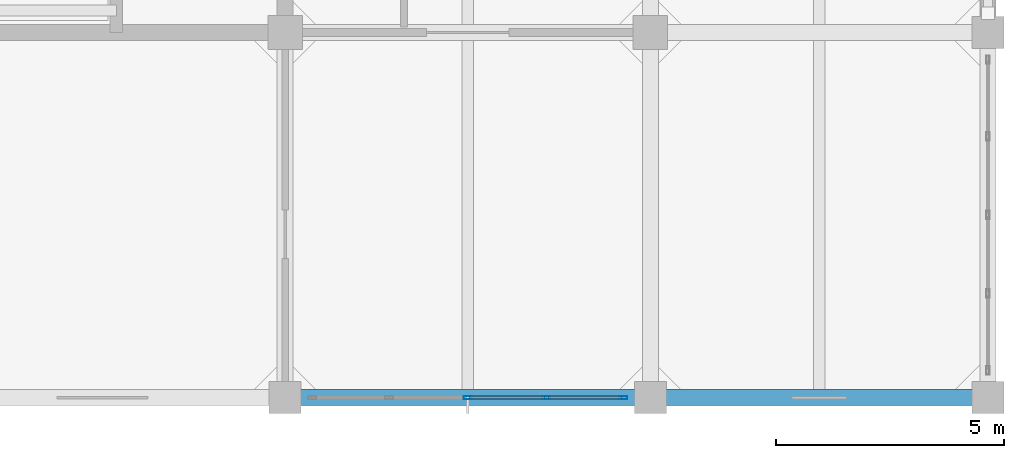
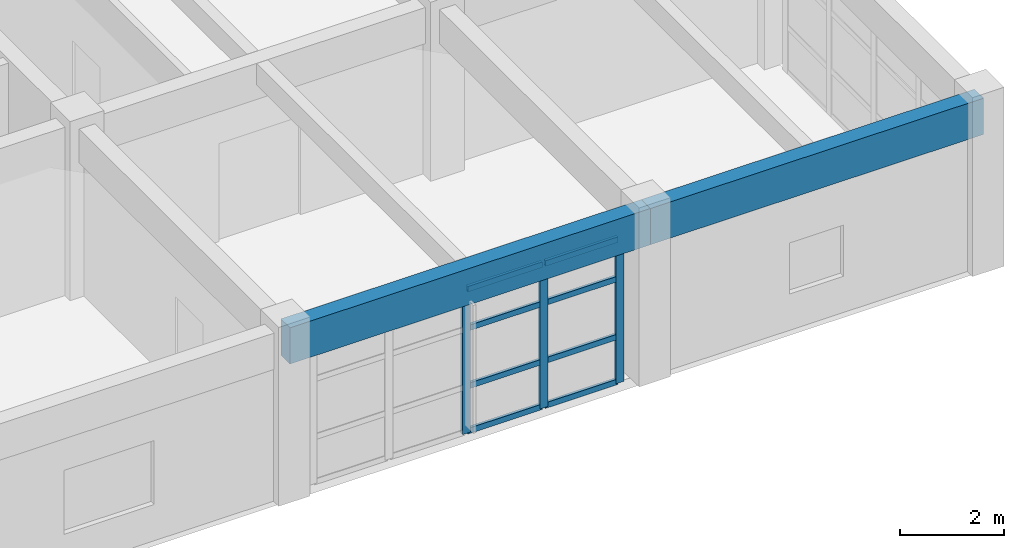
# One storey, part 5 of 25: 11 members, 2 beams, 1 element without a shape of its own.
"""IFC4 building model written with IfcOpenShell, lengths in metres."""

import ifcopenshell
import ifcopenshell.guid

model = None  # the IFC model being written
_history = None  # IfcOwnerHistory: only IFC2X3 demands one
_inside = {}  # id of a spatial element -> (the spatial element, [elements in it])
_under = {}  # id of a project, library or spatial element -> (it, [spatial elements below it])
_declared = {}  # id of a project -> (the project, [libraries it declares])
_typed = {}  # id of a type object -> (the type object, [elements of that type])
_made_of = {}  # id of a material, layer set ... -> (it, [elements and type objects made of it])


def new_model(schema):
    """Start an empty IFC model of exactly this schema.

    Asked for "IFC4X3", IfcOpenShell would pick the latest addendum, in which some entities
    have other attributes; the version numbers below select the first issue.
    IFC2X3 requires an IfcOwnerHistory on every rooted entity: one is made here for all.
    """
    global model, _history
    if schema == "IFC4X3":
        model = ifcopenshell.file(schema_version=(4, 3, 0, 0))
    else:
        model = ifcopenshell.file(schema=schema)
    _inside.clear()
    _under.clear()
    _declared.clear()
    _typed.clear()
    _made_of.clear()
    _history = None
    if model.schema == "IFC2X3":
        org = make("IfcOrganization", Name="unknown")
        user = make(
            "IfcPersonAndOrganization",
            ThePerson=make("IfcPerson", FamilyName="unknown"),
            TheOrganization=org,
        )
        app = make(
            "IfcApplication",
            ApplicationDeveloper=org,
            Version="unknown",
            ApplicationFullName="unknown",
            ApplicationIdentifier="unknown",
        )
        _history = make(
            "IfcOwnerHistory",
            OwningUser=user,
            OwningApplication=app,
            ChangeAction="ADDED",
            CreationDate=0,
        )
    return model


def make(cls, **values):
    """One entity of the class cls with the attributes given. An attribute that is None is left unset."""
    return model.create_entity(
        cls, **{name: value for name, value in values.items() if value is not None}
    )


def rooted(cls, **values):
    """An entity with a GlobalId (a new one), such as an element, a storey or a relation."""
    return make(cls, GlobalId=ifcopenshell.guid.new(), OwnerHistory=_history, **values)


def si_unit(unit_type, name, prefix=None):
    """IfcSIUnit, for example si_unit("LENGTHUNIT", "METRE", prefix="MILLI")."""
    return make("IfcSIUnit", UnitType=unit_type, Prefix=prefix, Name=name)


def assignment(units):
    """IfcUnitAssignment: the units of a project."""
    return None if units is None else make("IfcUnitAssignment", Units=units)


def point(xyz):
    """IfcCartesianPoint."""
    return None if xyz is None else make("IfcCartesianPoint", Coordinates=xyz)


def direction(xyz):
    """IfcDirection."""
    return None if xyz is None else make("IfcDirection", DirectionRatios=xyz)


def frame(location, z_axis=None, x_axis=None):
    """IfcAxis2Placement3D, a coordinate frame: its origin and axes. An axis left out is left unset."""
    return make(
        "IfcAxis2Placement3D",
        Location=point(location),
        Axis=direction(z_axis),
        RefDirection=direction(x_axis),
    )


def frame_2d(location, x_axis=None):
    """IfcAxis2Placement2D, a coordinate frame in the plane: its origin and x axis."""
    return make(
        "IfcAxis2Placement2D", Location=point(location), RefDirection=direction(x_axis)
    )


def origin():
    """The frame at (0, 0, 0) with its axes left unset."""
    return frame((0.0, 0.0, 0.0))


def origin_2d():
    """The frame at (0, 0) in the plane with its x axis left unset."""
    return frame_2d((0.0, 0.0))


def place(relative_to, where):
    """IfcLocalPlacement: puts the frame where relative to a parent placement (None: the world)."""
    return make(
        "IfcLocalPlacement", PlacementRelTo=relative_to, RelativePlacement=where
    )


def context(
    kind, dimensions, precision=None, world=None, true_north=None, identifier=None
):
    """IfcGeometricRepresentationContext, for example the 3D "Model" context."""
    return make(
        "IfcGeometricRepresentationContext",
        ContextIdentifier=identifier,
        ContextType=kind,
        CoordinateSpaceDimension=dimensions,
        Precision=precision,
        WorldCoordinateSystem=world,
        TrueNorth=true_north,
    )


def subcontext(parent, identifier, kind, view, scale=None):
    """IfcGeometricRepresentationSubContext, for example "Body" below "Model"."""
    return make(
        "IfcGeometricRepresentationSubContext",
        ContextIdentifier=identifier,
        ContextType=kind,
        ParentContext=parent,
        TargetScale=scale,
        TargetView=view,
    )


def project(units=None, contexts=None):
    """IfcProject with its units and contexts."""
    return rooted(
        "IfcProject",
        Name="project",
        RepresentationContexts=contexts,
        UnitsInContext=assignment(units),
    )


def spatial(cls, under=None, at=None, **own):
    """A site, building, storey or space (cls), placed at a placement, below another one or the project."""
    s = rooted(cls, ObjectPlacement=at, **own)
    if under is not None:
        _under.setdefault(under.id(), (under, []))[1].append(s)
    return s


def profile(cls, at=None, kind="AREA", **sizes):
    """A parametric profile (cls). Its sizes go by their IFC names, for example OverallWidth=200.0."""
    return make(cls, ProfileType=kind, Position=at, **sizes)


def rectangle(**sizes):
    """IfcRectangleProfileDef."""
    return profile("IfcRectangleProfileDef", **sizes)


def hollow_rectangle(**sizes):
    """IfcRectangleHollowProfileDef."""
    return profile("IfcRectangleHollowProfileDef", **sizes)


def extrude(swept, where, along, depth):
    """IfcExtrudedAreaSolid: the profile swept, set in the frame where, extruded along a direction by depth."""
    return make(
        "IfcExtrudedAreaSolid",
        SweptArea=swept,
        Position=where,
        ExtrudedDirection=direction(along),
        Depth=depth,
    )


def shape(context_of_items, identifier, shape_type, items):
    """IfcShapeRepresentation: the items that make up one representation, for example the "Body"."""
    return make(
        "IfcShapeRepresentation",
        ContextOfItems=context_of_items,
        RepresentationIdentifier=identifier,
        RepresentationType=shape_type,
        Items=items,
    )


def material(Name=None, Category=None):
    """IfcMaterial."""
    return make("IfcMaterial", Name=Name, Category=Category)


def layer(
    of_material, thickness, ventilated=None, Name=None, Category=None, Priority=None
):
    """IfcMaterialLayer: one layer of a wall or slab, of a material (None: an air gap)."""
    return make(
        "IfcMaterialLayer",
        Material=of_material,
        LayerThickness=thickness,
        IsVentilated=ventilated,
        Name=Name,
        Category=Category,
        Priority=Priority,
    )


def layer_set(layers, Name=None):
    """IfcMaterialLayerSet."""
    return make("IfcMaterialLayerSet", MaterialLayers=layers, LayerSetName=Name)


def material_profile(
    of_material, cross_section, Name=None, Category=None, Priority=None
):
    """IfcMaterialProfile: a cross section and its material."""
    return make(
        "IfcMaterialProfile",
        Name=Name,
        Material=of_material,
        Profile=cross_section,
        Priority=Priority,
        Category=Category,
    )


def profile_set(profiles, Name=None, composite=None):
    """IfcMaterialProfileSet."""
    return make(
        "IfcMaterialProfileSet",
        Name=Name,
        MaterialProfiles=profiles,
        CompositeProfile=composite,
    )


def made_of(thing, what):
    """Note that an element or type object is made of a material, layer set ...; save() writes the relation."""
    if what is not None:
        _made_of.setdefault(what.id(), (what, []))[1].append(thing)
    return thing


def type_object(cls, material=None, **own):
    """A type object (cls), such as IfcWallType, which elements share."""
    return made_of(rooted(cls, **own), material)


def element(
    cls,
    number,
    at=None,
    inside=None,
    cuts=None,
    type_object=None,
    material=None,
    context=None,
    identifier="Body",
    shape_type=None,
    held_by="IfcProductDefinitionShape",
    body=None,
    shapes=None,
    **own,
):
    """One element of the class cls, such as IfcWall. Its Tag is "e" and its number.

    at: its placement. inside: the storey or other place that contains it. cuts: it is an
    opening in that element (IfcRelVoidsElement). A single representation is given by context,
    identifier, shape_type and body (its items); several are given by shapes. held_by: the class
    of the entity that holds the representations. save() writes the other relations.
    """
    e = rooted(cls, Tag="e%d" % number, ObjectPlacement=at, **own)
    if body is not None:
        shapes = [shape(context, identifier, shape_type, body)]
    if shapes is not None:
        e.Representation = make(held_by, Representations=shapes)
    if inside is not None:
        _inside.setdefault(inside.id(), (inside, []))[1].append(e)
    if cuts is not None:
        rooted(
            "IfcRelVoidsElement", RelatingBuildingElement=cuts, RelatedOpeningElement=e
        )
    if type_object is not None:
        _typed.setdefault(type_object.id(), (type_object, []))[1].append(e)
    return made_of(e, material)


def aggregate(whole, parts):
    """IfcRelAggregates: a whole, such as a stair, and the parts it consists of."""
    return rooted("IfcRelAggregates", RelatingObject=whole, RelatedObjects=parts)


def save(model, path):
    """Write the relations noted so far, then the file.

    IfcRelAggregates (storeys below a building ...), IfcRelContainedInSpatialStructure (elements
    in a storey), IfcRelDefinesByType, IfcRelAssociatesMaterial and IfcRelDeclares: one each for
    every whole, place, type object, material and project.
    """
    for whole, parts in _under.values():
        aggregate(whole, parts)
    for where, things in _inside.values():
        rooted(
            "IfcRelContainedInSpatialStructure",
            RelatedElements=things,
            RelatingStructure=where,
        )
    for kind, things in _typed.values():
        rooted("IfcRelDefinesByType", RelatedObjects=things, RelatingType=kind)
    for what, things in _made_of.values():
        rooted("IfcRelAssociatesMaterial", RelatedObjects=things, RelatingMaterial=what)
    for by, libraries in _declared.values():
        rooted("IfcRelDeclares", RelatingContext=by, RelatedDefinitions=libraries)
    model.write(path)


model = new_model("IFC4")

# Units and contexts
model_context = context("Model", 3, precision=1e-05, world=origin(), true_north=direction((0.0, 1.0)))
body_context = subcontext(model_context, "Body", "Model", "MODEL_VIEW")
ifc_project = project(units=[si_unit("LENGTHUNIT", "METRE"), si_unit("AREAUNIT", "SQUARE_METRE"), si_unit("VOLUMEUNIT", "CUBIC_METRE"), si_unit("PLANEANGLEUNIT", "RADIAN"), si_unit("MASSUNIT", "GRAM", prefix="KILO")], contexts=[model_context])

# Site, building, storey
site_placement = place(None, origin())
site = spatial("IfcSite", under=ifc_project, at=site_placement, CompositionType="ELEMENT")
building_placement = place(site_placement, origin())
building = spatial("IfcBuilding", under=site, at=building_placement, Name="Canggui Botanical Conservatory", CompositionType="ELEMENT")
storey_placement = place(building_placement, frame((0.0, 0.0, 40.199951171875)))
storey = spatial("IfcBuildingStorey", under=building, at=storey_placement, Name="L10", CompositionType="ELEMENT", Elevation=40.199951171875)

# Beams
ifc_material_1 = material(Name="Concrete C35", Category="concrete")
ifc_material_profile_1 = material_profile(ifc_material_1, rectangle(XDim=0.35009765625, YDim=0.85009765625, at=origin_2d()), Name="RB 350x850")
ifc_profile_set_1 = profile_set([ifc_material_profile_1], Name="Concrete C35")
beam_type = type_object("IfcBeamType", Name="BM-KL14", PredefinedType="BEAM", material=ifc_profile_set_1)
beam_1_placement = place(storey_placement, frame((162.0, 34.0, 3.53515625), z_axis=(1.0, 0.0, 0.0), x_axis=(0.0, 1.0, 0.0)))
element("IfcBeam", 1, at=beam_1_placement, inside=storey, type_object=beam_type, Name="Frame Girder L10 Y34-3", PredefinedType="BEAM", context=body_context, shape_type="SweptSolid", body=[
    extrude(rectangle(XDim=0.35009765625, YDim=0.85009765625, at=origin_2d()), origin(), (0.0, 0.0, 1.0), 8.0),
])
beam_2_placement = place(storey_placement, frame((170.0, 34.0, 3.53515625), z_axis=(1.0, 0.0, 0.0), x_axis=(0.0, 1.0, 0.0)))
element("IfcBeam", 2, at=beam_2_placement, inside=storey, type_object=beam_type, Name="Frame Girder L10 Y34-4", PredefinedType="BEAM", context=body_context, shape_type="SweptSolid", body=[
    extrude(rectangle(XDim=0.35009765625, YDim=0.85009765625, at=origin_2d()), origin(), (0.0, 0.0, 1.0), 7.39990234375),
])

# Curtain wall, members
ifc_material_2 = material(Name="Thermally Broken Aluminium", Category="aluminium")
ifc_layer = layer(ifc_material_2, 0.179931640625, Name="Thermally Broken Aluminium", Category="aluminium")
ifc_layer_set = layer_set([ifc_layer], Name="Thermally Broken Aluminium")
curtain_wall_type = type_object("IfcCurtainWallType", Name="CW-UNIT-A", PredefinedType="USERDEFINED", material=ifc_layer_set)
curtain_wall_placement = place(storey_placement, origin())
curtain_wall = element("IfcCurtainWall", 3, at=curtain_wall_placement, inside=storey, type_object=curtain_wall_type, Name="Facade Curtain Wall CW-TWR-L10-02", ObjectType="UNITISED CURTAIN WALL", PredefinedType="USERDEFINED")
ifc_material_profile_2 = material_profile(ifc_material_2, hollow_rectangle(XDim=0.070068359375, YDim=0.179931640625, WallThickness=0.00390625, at=origin_2d()), Name="CWM 70x180x4")
ifc_profile_set_2 = profile_set([ifc_material_profile_2], Name="Thermally Broken Aluminium")
member_type_1 = type_object("IfcMemberType", Name="CWM-01", PredefinedType="MULLION", material=ifc_profile_set_2)
member_1_placement = place(storey_placement, frame((169.405029296875, 34.0, 0.0), z_axis=(0.0, 0.0, 1.0), x_axis=(0.0, -1.0, 0.0)))
member_1 = element("IfcMember", 4, at=member_1_placement, type_object=member_type_1, Name="CW-01 mullion 1", PredefinedType="MULLION", context=body_context, shape_type="SweptSolid", body=[
    extrude(hollow_rectangle(XDim=0.070068359375, YDim=0.179931640625, WallThickness=0.00390625, at=origin_2d()), origin(), (0.0, 0.0, 1.0), 3.400146484375),
])
member_2_placement = place(storey_placement, frame((167.719970703125, 34.0, 0.0), z_axis=(0.0, 0.0, 1.0), x_axis=(0.0, -1.0, 0.0)))
member_2 = element("IfcMember", 5, at=member_2_placement, type_object=member_type_1, Name="CW-01 mullion 2", PredefinedType="MULLION", context=body_context, shape_type="SweptSolid", body=[
    extrude(hollow_rectangle(XDim=0.070068359375, YDim=0.179931640625, WallThickness=0.00390625, at=origin_2d()), origin(), (0.0, 0.0, 1.0), 3.400146484375),
])
member_3_placement = place(storey_placement, frame((166.0, 34.0, 0.0), z_axis=(0.0, 0.0, 1.0), x_axis=(0.0, -1.0, 0.0)))
member_3 = element("IfcMember", 6, at=member_3_placement, type_object=member_type_1, Name="CW-01 mullion 3", PredefinedType="MULLION", context=body_context, shape_type="SweptSolid", body=[
    extrude(hollow_rectangle(XDim=0.070068359375, YDim=0.179931640625, WallThickness=0.00390625, at=origin_2d()), origin(), (0.0, 0.0, 1.0), 3.400146484375),
])
ifc_material_profile_3 = material_profile(ifc_material_2, hollow_rectangle(XDim=0.06494140625, YDim=0.1298828125, WallThickness=0.00341796875, at=origin_2d()), Name="CWT 65x130x3.5")
ifc_profile_set_3 = profile_set([ifc_material_profile_3], Name="Thermally Broken Aluminium")
member_type_2 = type_object("IfcMemberType", Name="CWT-01", PredefinedType="USERDEFINED", material=ifc_profile_set_3)
member_4_placement = place(storey_placement, frame((169.3701171875, 34.0, 0.032470703125), z_axis=(-1.0, 0.0, 0.0), x_axis=(0.0, -1.0, 0.0)))
member_4 = element("IfcMember", 7, at=member_4_placement, type_object=member_type_2, Name="CW-01 transom 1.1", ObjectType="TRANSOM", PredefinedType="USERDEFINED", context=body_context, shape_type="SweptSolid", body=[
    extrude(hollow_rectangle(XDim=0.06494140625, YDim=0.1298828125, WallThickness=0.00341796875, at=origin_2d()), origin(), (0.0, 0.0, 1.0), 1.615234375),
])
member_5_placement = place(storey_placement, frame((169.3701171875, 34.0, 1.088134765625), z_axis=(-1.0, 0.0, 0.0), x_axis=(0.0, -1.0, 0.0)))
member_5 = element("IfcMember", 8, at=member_5_placement, type_object=member_type_2, Name="CW-01 transom 1.2", ObjectType="TRANSOM", PredefinedType="USERDEFINED", context=body_context, shape_type="SweptSolid", body=[
    extrude(hollow_rectangle(XDim=0.06494140625, YDim=0.1298828125, WallThickness=0.00341796875, at=origin_2d()), origin(), (0.0, 0.0, 1.0), 1.615234375),
])
member_6_placement = place(storey_placement, frame((169.3701171875, 34.0, 2.447998046875), z_axis=(-1.0, 0.0, 0.0), x_axis=(0.0, -1.0, 0.0)))
member_6 = element("IfcMember", 9, at=member_6_placement, type_object=member_type_2, Name="CW-01 transom 1.3", ObjectType="TRANSOM", PredefinedType="USERDEFINED", context=body_context, shape_type="SweptSolid", body=[
    extrude(hollow_rectangle(XDim=0.06494140625, YDim=0.1298828125, WallThickness=0.00341796875, at=origin_2d()), origin(), (0.0, 0.0, 1.0), 1.615234375),
])
member_7_placement = place(storey_placement, frame((169.3701171875, 34.0, 3.367431640625), z_axis=(-1.0, 0.0, 0.0), x_axis=(0.0, -1.0, 0.0)))
member_7 = element("IfcMember", 10, at=member_7_placement, type_object=member_type_2, Name="CW-01 transom 1.4", ObjectType="TRANSOM", PredefinedType="USERDEFINED", context=body_context, shape_type="SweptSolid", body=[
    extrude(hollow_rectangle(XDim=0.06494140625, YDim=0.1298828125, WallThickness=0.00341796875, at=origin_2d()), origin(), (0.0, 0.0, 1.0), 1.615234375),
])
member_8_placement = place(storey_placement, frame((167.68505859375, 34.0, 0.032470703125), z_axis=(-1.0, 0.0, 0.0), x_axis=(0.0, -1.0, 0.0)))
member_8 = element("IfcMember", 11, at=member_8_placement, type_object=member_type_2, Name="CW-01 transom 2.1", ObjectType="TRANSOM", PredefinedType="USERDEFINED", context=body_context, shape_type="SweptSolid", body=[
    extrude(hollow_rectangle(XDim=0.06494140625, YDim=0.1298828125, WallThickness=0.00341796875, at=origin_2d()), origin(), (0.0, 0.0, 1.0), 1.650146484375),
])
member_9_placement = place(storey_placement, frame((167.68505859375, 34.0, 1.088134765625), z_axis=(-1.0, 0.0, 0.0), x_axis=(0.0, -1.0, 0.0)))
member_9 = element("IfcMember", 12, at=member_9_placement, type_object=member_type_2, Name="CW-01 transom 2.2", ObjectType="TRANSOM", PredefinedType="USERDEFINED", context=body_context, shape_type="SweptSolid", body=[
    extrude(hollow_rectangle(XDim=0.06494140625, YDim=0.1298828125, WallThickness=0.00341796875, at=origin_2d()), origin(), (0.0, 0.0, 1.0), 1.650146484375),
])
member_10_placement = place(storey_placement, frame((167.68505859375, 34.0, 2.447998046875), z_axis=(-1.0, 0.0, 0.0), x_axis=(0.0, -1.0, 0.0)))
member_10 = element("IfcMember", 13, at=member_10_placement, type_object=member_type_2, Name="CW-01 transom 2.3", ObjectType="TRANSOM", PredefinedType="USERDEFINED", context=body_context, shape_type="SweptSolid", body=[
    extrude(hollow_rectangle(XDim=0.06494140625, YDim=0.1298828125, WallThickness=0.00341796875, at=origin_2d()), origin(), (0.0, 0.0, 1.0), 1.650146484375),
])
member_11_placement = place(storey_placement, frame((167.68505859375, 34.0, 3.367431640625), z_axis=(-1.0, 0.0, 0.0), x_axis=(0.0, -1.0, 0.0)))
member_11 = element("IfcMember", 14, at=member_11_placement, type_object=member_type_2, Name="CW-01 transom 2.4", ObjectType="TRANSOM", PredefinedType="USERDEFINED", context=body_context, shape_type="SweptSolid", body=[
    extrude(hollow_rectangle(XDim=0.06494140625, YDim=0.1298828125, WallThickness=0.00341796875, at=origin_2d()), origin(), (0.0, 0.0, 1.0), 1.650146484375),
])
aggregate(curtain_wall, [member_1, member_2, member_3, member_4, member_5, member_6, member_7, member_8, member_9, member_10, member_11])

save(model, "model.ifc")
